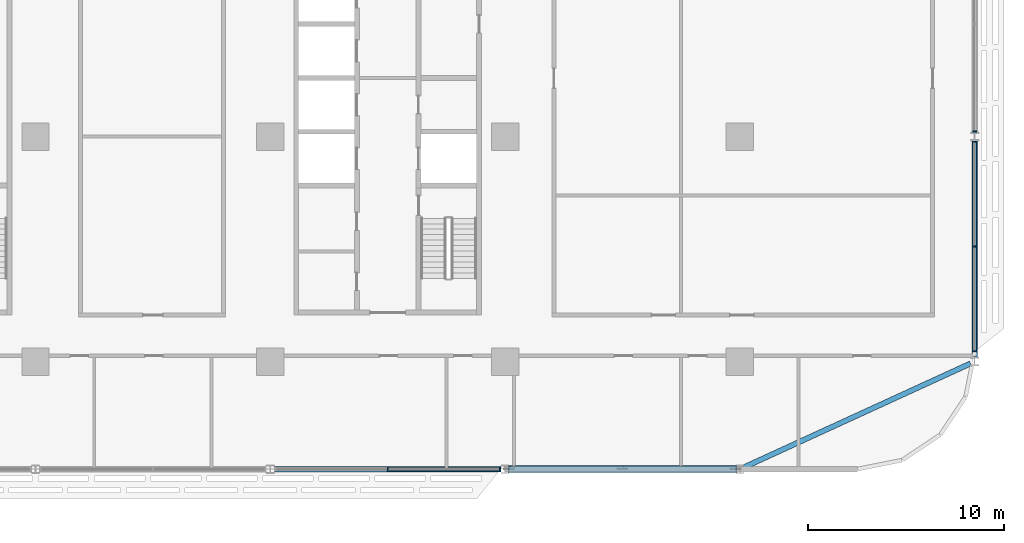
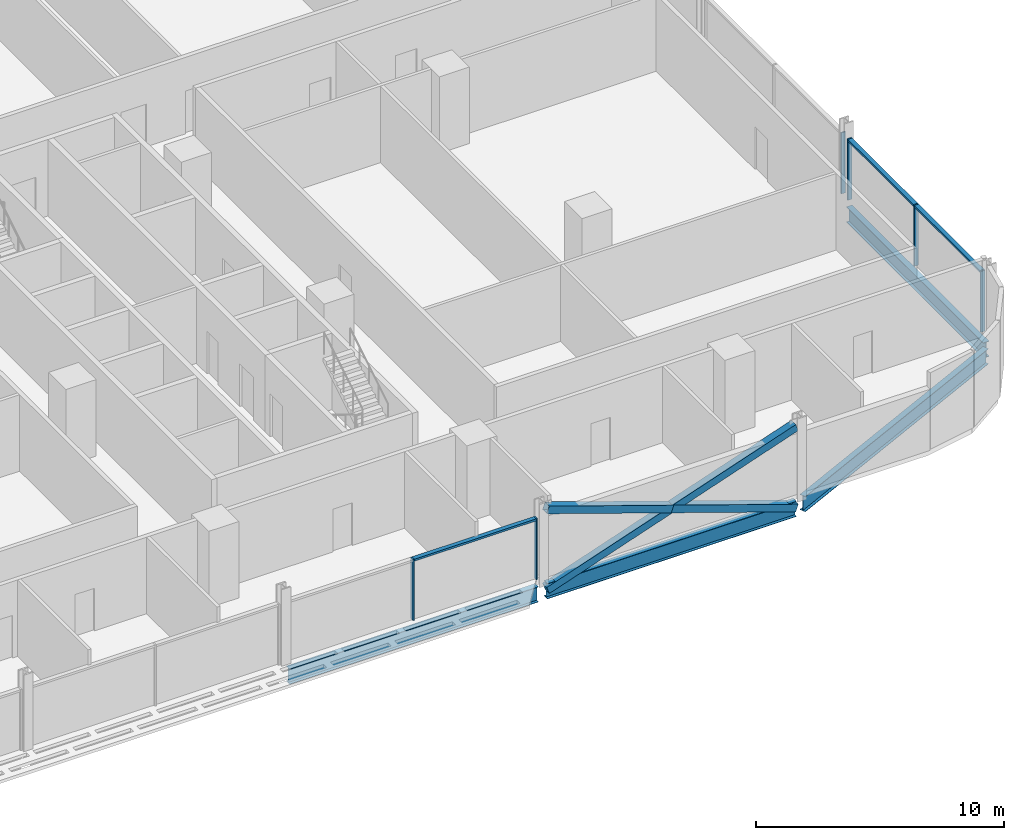
# One storey, part 8 of 29: 12 members, 4 beams, 3 elements without a shape of their own.
"""IFC4 building model written with IfcOpenShell, lengths in metres."""

from ifc_helpers import new_model, si_unit, direction, frame, origin, origin_2d, place, context, subcontext, project, spatial, rectangle, hollow_rectangle, i_section, extrude, material, material_profile, profile_set, type_object, element, aggregate, save


model = new_model("IFC4")

# Units and contexts
model_context = context("Model", 3, precision=1e-05, world=origin(), true_north=direction((0.0, 1.0)))
body_context = subcontext(model_context, "Body", "Model", "MODEL_VIEW")
ifc_project = project(units=[si_unit("LENGTHUNIT", "METRE"), si_unit("AREAUNIT", "SQUARE_METRE"), si_unit("VOLUMEUNIT", "CUBIC_METRE"), si_unit("PLANEANGLEUNIT", "RADIAN"), si_unit("MASSUNIT", "GRAM", prefix="KILO")], contexts=[model_context])

# Site, building, storey
site_placement = place(None, origin())
site = spatial("IfcSite", under=ifc_project, at=site_placement, CompositionType="ELEMENT")
building_placement = place(site_placement, origin())
building = spatial("IfcBuilding", under=site, at=building_placement, Name="Mahtab Terrace Research Tower", CompositionType="ELEMENT")
storey_placement = place(building_placement, frame((0.0, 0.0, 97.10009765625)))
storey = spatial("IfcBuildingStorey", under=building, at=storey_placement, Name="L22", CompositionType="ELEMENT", Elevation=97.10009765625)

# Members
ifc_material_1 = material(Name="Steel ASTM A500 Gr C", Category="steel")
ifc_material_profile_1 = material_profile(ifc_material_1, hollow_rectangle(XDim=0.355712890625, YDim=0.355712890625, WallThickness=0.01904296875, at=origin_2d()), Name="HSS14X14X3/4")
ifc_profile_set_1 = profile_set([ifc_material_profile_1], Name="Steel ASTM A500 Gr C")
member_type_1 = type_object("IfcMemberType", Name="HSS 14x14x3/4 brace XB141434", PredefinedType="BRACE", material=ifc_profile_set_1)
member_1_placement = place(storey_placement, frame((30.20947265625, -17.0, -0.64697265625), z_axis=(0.946292853795, 0.0, 0.323310740397), x_axis=(0.0, 1.0, 0.0)))
element("IfcMember", 1, at=member_1_placement, inside=storey, type_object=member_type_1, Name="Exoskeleton brace L22 18 a", PredefinedType="BRACE", context=body_context, shape_type="SweptSolid", body=[
    extrude(hollow_rectangle(XDim=0.355712890625, YDim=0.355712890625, WallThickness=0.01904296875, at=origin_2d()), origin(), (0.0, 0.0, 1.0), 12.23828125),
])
for number, where, z_axis, x_axis, name in (
    (2, (41.79052734375, -17.0, -0.64697265625), (-0.946286750388, 0.0, 0.323328603809), (0.0, -1.0, 0.0), "Exoskeleton brace L22 18 b1"),
    (3, (36.0, -17.0, 1.33154296875), (-0.946298956945, 0.0, 0.323292876639), (0.0, -1.0, 0.0), "Exoskeleton brace L22 18 b2"),
):
    element("IfcMember", number, at=place(storey_placement, frame(where, z_axis=z_axis, x_axis=x_axis)), inside=storey, type_object=member_type_1, Name=name, PredefinedType="BRACE", context=body_context, shape_type="SweptSolid", body=[
        extrude(hollow_rectangle(XDim=0.355712890625, YDim=0.355712890625, WallThickness=0.01904296875, at=origin_2d()), origin(), (0.0, 0.0, 1.0), 6.119140625),
    ])

# Curtain wall, members
ifc_material_2 = material(Name="Laboratory ribbon curtain wall")
curtain_wall_type = type_object("IfcCurtainWallType", Name="Laboratory ribbon curtain wall", PredefinedType="NOTDEFINED", material=ifc_material_2)
curtain_wall_1_placement = place(storey_placement, origin())
curtain_wall_1 = element("IfcCurtainWall", 4, at=curtain_wall_1_placement, inside=storey, type_object=curtain_wall_type, Name="EN.L22.13.28", PredefinedType="NOTDEFINED")
ifc_material_3 = material(Name="Natural anodised aluminium", Category="aluminium")
ifc_material_profile_2 = material_profile(ifc_material_3, rectangle(XDim=0.199951171875, YDim=0.06494140625, at=origin_2d()), Name="MULLION 65x200")
ifc_profile_set_2 = profile_set([ifc_material_profile_2], Name="Natural anodised aluminium")
member_type_2 = type_object("IfcMemberType", Name="Laboratory ribbon curtain wall mullion", PredefinedType="MULLION", material=ifc_profile_set_2)
member_2_placement = place(storey_placement, frame((24.0, -17.0, 0.0), z_axis=(0.0, 0.0, 1.0), x_axis=(0.0, 1.0, 0.0)))
member_2 = element("IfcMember", 5, at=member_2_placement, type_object=member_type_2, Name="CWL-3 mullion 2", PredefinedType="MULLION", context=body_context, shape_type="SweptSolid", body=[
    extrude(rectangle(XDim=0.199951171875, YDim=0.06494140625, at=origin_2d()), origin(), (0.0, 0.0, 1.0), 3.0029296875),
])
member_3_placement = place(storey_placement, frame((29.739501953125, -17.0, 0.0), z_axis=(0.0, 0.0, 1.0), x_axis=(0.0, 1.0, 0.0)))
member_3 = element("IfcMember", 6, at=member_3_placement, type_object=member_type_2, Name="CWL-3 mullion 3", PredefinedType="MULLION", context=body_context, shape_type="SweptSolid", body=[
    extrude(rectangle(XDim=0.199951171875, YDim=0.06494140625, at=origin_2d()), origin(), (0.0, 0.0, 1.0), 3.0029296875),
])

curtain_wall_2_placement = place(storey_placement, origin())
curtain_wall_2 = element("IfcCurtainWall", 7, at=curtain_wall_2_placement, inside=storey, type_object=curtain_wall_type, Name="EN.L22.18.36", PredefinedType="NOTDEFINED")
member_4_placement = place(storey_placement, frame((54.0, -10.967529296875, 0.0), z_axis=(0.0, 0.0, 1.0), x_axis=(-1.0, 0.0, 0.0)))
member_4 = element("IfcMember", 8, at=member_4_placement, type_object=member_type_2, Name="CWL-3 mullion 1", PredefinedType="MULLION", context=body_context, shape_type="SweptSolid", body=[
    extrude(rectangle(XDim=0.199951171875, YDim=0.06494140625, at=origin_2d()), origin(), (0.0, 0.0, 1.0), 3.0029296875),
])
member_5_placement = place(storey_placement, frame((54.0, -5.614013671875, 0.0), z_axis=(0.0, 0.0, 1.0), x_axis=(-1.0, 0.0, 0.0)))
member_5 = element("IfcMember", 9, at=member_5_placement, type_object=member_type_2, Name="CWL-3 mullion 2", PredefinedType="MULLION", context=body_context, shape_type="SweptSolid", body=[
    extrude(rectangle(XDim=0.199951171875, YDim=0.06494140625, at=origin_2d()), origin(), (0.0, 0.0, 1.0), 3.0029296875),
])
member_6_placement = place(storey_placement, frame((54.0, -0.260498046875, 0.0), z_axis=(0.0, 0.0, 1.0), x_axis=(-1.0, 0.0, 0.0)))
member_6 = element("IfcMember", 10, at=member_6_placement, type_object=member_type_2, Name="CWL-3 mullion 3", PredefinedType="MULLION", context=body_context, shape_type="SweptSolid", body=[
    extrude(rectangle(XDim=0.199951171875, YDim=0.06494140625, at=origin_2d()), origin(), (0.0, 0.0, 1.0), 3.0029296875),
])

# Curtain wall, member
curtain_wall_3_placement = place(storey_placement, origin())
curtain_wall_3 = element("IfcCurtainWall", 11, at=curtain_wall_3_placement, inside=storey, type_object=curtain_wall_type, Name="EN.L22.18.37", PredefinedType="NOTDEFINED")
member_7_placement = place(storey_placement, frame((54.0, 0.260498046875, 0.0), z_axis=(0.0, 0.0, 1.0), x_axis=(-1.0, 0.0, 0.0)))
member_7 = element("IfcMember", 12, at=member_7_placement, type_object=member_type_2, Name="CWL-3 mullion 1", PredefinedType="MULLION", context=body_context, shape_type="SweptSolid", body=[
    extrude(rectangle(XDim=0.199951171875, YDim=0.06494140625, at=origin_2d()), origin(), (0.0, 0.0, 1.0), 3.0029296875),
])
aggregate(curtain_wall_3, [member_7])

# Member
ifc_material_profile_3 = material_profile(ifc_material_3, rectangle(XDim=0.199951171875, YDim=0.10009765625, at=origin_2d()), Name="TRANSOM 100x200")
ifc_profile_set_3 = profile_set([ifc_material_profile_3], Name="Natural anodised aluminium")
member_type_3 = type_object("IfcMemberType", Name="Laboratory ribbon curtain wall transom", PredefinedType="USERDEFINED", material=ifc_profile_set_3)
member_8_placement = place(storey_placement, frame((24.032470703125, -17.0, 2.952880859375), z_axis=(1.0, 0.0, 0.0), x_axis=(0.0, 1.0, 0.0)))
member_8 = element("IfcMember", 13, at=member_8_placement, type_object=member_type_3, Name="CWL-3 transom 2", ObjectType="TRANSOM", PredefinedType="USERDEFINED", context=body_context, shape_type="SweptSolid", body=[
    extrude(rectangle(XDim=0.199951171875, YDim=0.10009765625, at=origin_2d()), origin(), (0.0, 0.0, 1.0), 5.674560546875),
])

aggregate(curtain_wall_1, [member_2, member_3, member_8])

member_9_placement = place(storey_placement, frame((54.0, -10.93505859375, 2.952880859375), z_axis=(0.0, 1.0, 0.0), x_axis=(-1.0, 0.0, 0.0)))
member_9 = element("IfcMember", 14, at=member_9_placement, type_object=member_type_3, Name="CWL-3 transom 1", ObjectType="TRANSOM", PredefinedType="USERDEFINED", context=body_context, shape_type="SweptSolid", body=[
    extrude(rectangle(XDim=0.199951171875, YDim=0.10009765625, at=origin_2d()), origin(), (0.0, 0.0, 1.0), 5.28857421875),
])

member_10_placement = place(storey_placement, frame((54.0, -5.58154296875, 2.952880859375), z_axis=(0.0, 1.0, 0.0), x_axis=(-1.0, 0.0, 0.0)))
member_10 = element("IfcMember", 15, at=member_10_placement, type_object=member_type_3, Name="CWL-3 transom 2", ObjectType="TRANSOM", PredefinedType="USERDEFINED", context=body_context, shape_type="SweptSolid", body=[
    extrude(rectangle(XDim=0.199951171875, YDim=0.10009765625, at=origin_2d()), origin(), (0.0, 0.0, 1.0), 5.28857421875),
])

aggregate(curtain_wall_2, [member_4, member_5, member_6, member_9, member_10])

# Beams
ifc_material_4 = material(Name="Steel ASTM A992 Gr 50", Category="steel")
ifc_material_profile_4 = material_profile(ifc_material_4, i_section(OverallWidth=0.2666015625, OverallDepth=0.7568359375, WebThickness=0.013916015625, FlangeThickness=0.019287109375, at=origin_2d()), Name="W30X108")
ifc_profile_set_4 = profile_set([ifc_material_profile_4], Name="Steel ASTM A992 Gr 50")
beam_type = type_object("IfcBeamType", Name="W30x108 beam BS30108", PredefinedType="BEAM", material=ifc_profile_set_4)
for number, where, z_axis, x_axis, name in (
    (16, (18.20947265625, -17.0, -0.718505859375), (1.0, 0.0, 0.0), (0.0, 1.0, 0.0), "Spandrel beam L22 17"),
    (17, (30.20947265625, -17.0, -0.718505859375), (1.0, 0.0, 0.0), (0.0, 1.0, 0.0), "Spandrel beam L22 18"),
):
    element("IfcBeam", number, at=place(storey_placement, frame(where, z_axis=z_axis, x_axis=x_axis)), inside=storey, type_object=beam_type, Name=name, PredefinedType="BEAM", context=body_context, shape_type="SweptSolid", body=[
        extrude(i_section(OverallWidth=0.2666015625, OverallDepth=0.7568359375, WebThickness=0.013916015625, FlangeThickness=0.019287109375, at=origin_2d()), origin(), (0.0, 0.0, 1.0), 11.5810546875),
    ])
beam_1_placement = place(storey_placement, frame((42.20947265625, -16.904052734375, -0.718505859375), z_axis=(0.909061193532, 0.416662629011, 0.0), x_axis=(-0.416662629011, 0.909061193532, 0.0)))
element("IfcBeam", 18, at=beam_1_placement, inside=storey, type_object=beam_type, Name="Spandrel beam L22 19", PredefinedType="BEAM", context=body_context, shape_type="SweptSolid", body=[
    extrude(i_section(OverallWidth=0.2666015625, OverallDepth=0.7568359375, WebThickness=0.013916015625, FlangeThickness=0.019287109375, at=origin_2d()), origin(), (0.0, 0.0, 1.0), 12.739501953125),
])
beam_2_placement = place(storey_placement, frame((54.0, -11.272705078125, -0.718505859375), z_axis=(0.0, 1.0, 0.0), x_axis=(-1.0, 0.0, 0.0)))
element("IfcBeam", 19, at=beam_2_placement, inside=storey, type_object=beam_type, Name="Spandrel beam L22 20", PredefinedType="BEAM", context=body_context, shape_type="SweptSolid", body=[
    extrude(i_section(OverallWidth=0.2666015625, OverallDepth=0.7568359375, WebThickness=0.013916015625, FlangeThickness=0.019287109375, at=origin_2d()), origin(), (0.0, 0.0, 1.0), 11.04541015625),
])

save(model, "model.ifc")
